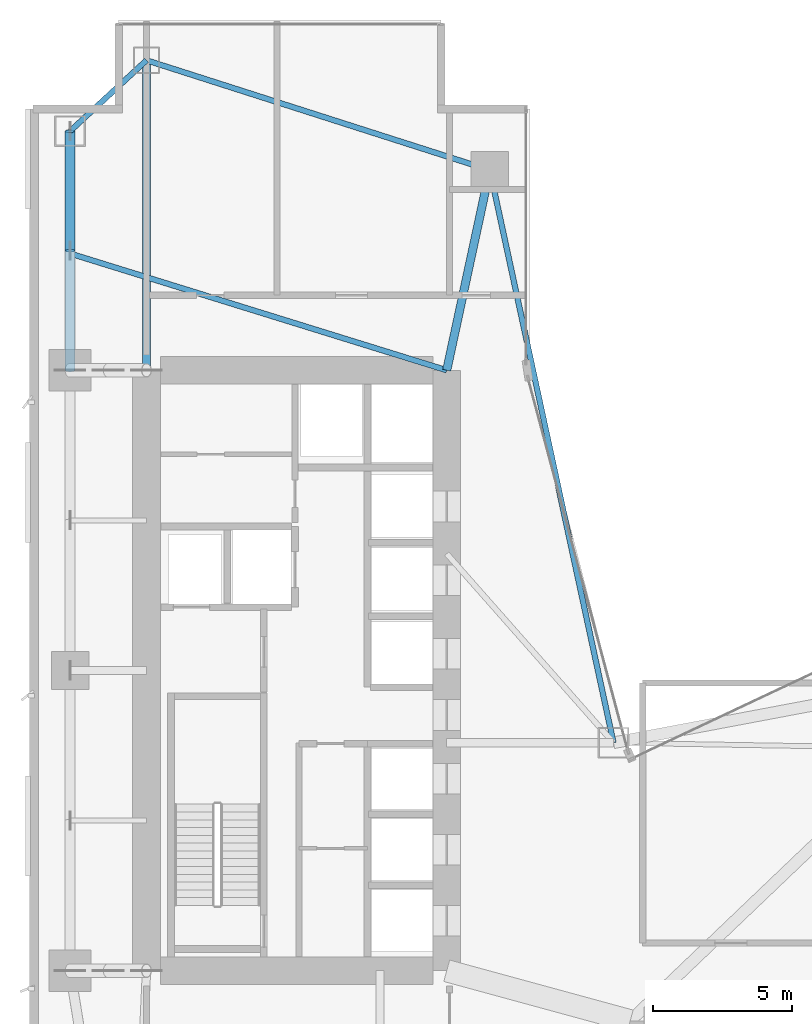
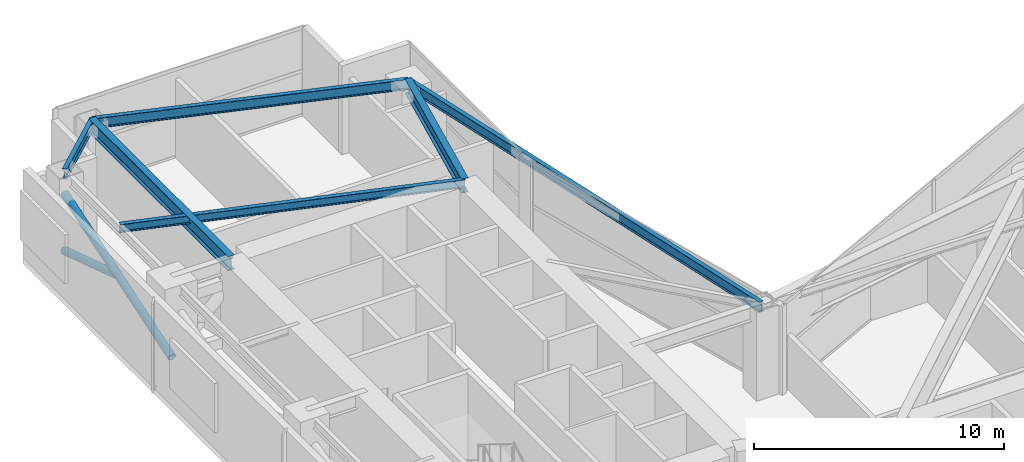
# One storey, part 6 of 18: 6 beams, 2 members.
"""IFC4 building model written with IfcOpenShell, lengths in metres."""

from ifc_helpers import new_model, si_unit, direction, frame, origin, origin_2d, place, context, subcontext, project, spatial, hollow_circle, i_section, extrude, material, material_profile, profile_set, type_object, element, save


model = new_model("IFC4")

# Units and contexts
model_context = context("Model", 3, precision=1e-05, world=origin(), true_north=direction((0.0, 1.0)))
body_context = subcontext(model_context, "Body", "Model", "MODEL_VIEW")
ifc_project = project(units=[si_unit("LENGTHUNIT", "METRE"), si_unit("AREAUNIT", "SQUARE_METRE"), si_unit("VOLUMEUNIT", "CUBIC_METRE"), si_unit("PLANEANGLEUNIT", "RADIAN"), si_unit("MASSUNIT", "GRAM", prefix="KILO")], contexts=[model_context])

# Site, building, storey
site_placement = place(None, origin())
site = spatial("IfcSite", under=ifc_project, at=site_placement, CompositionType="ELEMENT")
building_placement = place(site_placement, origin())
building = spatial("IfcBuilding", under=site, at=building_placement, Name="Calvorn Quay Hotel", CompositionType="ELEMENT")
storey_placement = place(building_placement, frame((0.0, 0.0, 92.60009765625)))
storey = spatial("IfcBuildingStorey", under=building, at=storey_placement, Name="L22", CompositionType="ELEMENT", Elevation=92.60009765625)

# Beams
ifc_material_1 = material(Name="Steel Q390GJC", Category="steel")
ifc_material_profile_1 = material_profile(ifc_material_1, i_section(OverallWidth=0.300048828125, OverallDepth=0.699951171875, WebThickness=0.012939453125, FlangeThickness=0.02392578125, FilletRadius=0.02392578125, at=origin_2d()), Name="HN700x300x13x24")
ifc_profile_set_1 = profile_set([ifc_material_profile_1], Name="Steel Q390GJC")
beam_type_1 = type_object("IfcBeamType", Name="BM-GIRD-MAIN", PredefinedType="BEAM", material=ifc_profile_set_1)
beam_1_placement = place(storey_placement, frame((4.199951171875, 49.550048828125, 4.0), z_axis=(0.0, -1.0, 0.0), x_axis=(1.0, 0.0, 0.0)))
element("IfcBeam", 1, at=beam_1_placement, inside=storey, type_object=beam_type_1, Name="Beam BG-L22-W5", PredefinedType="BEAM", context=body_context, shape_type="SweptSolid", body=[
    extrude(i_section(OverallWidth=0.300048828125, OverallDepth=0.699951171875, WebThickness=0.012939453125, FlangeThickness=0.02392578125, FilletRadius=0.02392578125, at=origin_2d()), origin(), (0.0, 0.0, 1.0), 11.150146484375),
])
beam_2_placement = place(storey_placement, frame((16.550048828125, 45.60009765625, 4.0), z_axis=(-0.210457140491, -0.97760308511, 0.0), x_axis=(0.97760308511, -0.210457140491, 0.0)))
element("IfcBeam", 2, at=beam_2_placement, inside=storey, type_object=beam_type_1, Name="Beam BG-L22-W6", PredefinedType="BEAM", context=body_context, shape_type="SweptSolid", body=[
    extrude(i_section(OverallWidth=0.300048828125, OverallDepth=0.699951171875, WebThickness=0.012939453125, FlangeThickness=0.02392578125, FilletRadius=0.02392578125, at=origin_2d()), origin(), (0.0, 0.0, 1.0), 7.365234375),
])
ifc_material_2 = material(Name="Steel Q355B", Category="steel")
ifc_material_profile_2 = material_profile(ifc_material_2, i_section(OverallWidth=0.199951171875, OverallDepth=0.39990234375, WebThickness=0.008056640625, FlangeThickness=0.012939453125, FilletRadius=0.01611328125, at=origin_2d()), Name="HN400x200x8x13")
ifc_profile_set_2 = profile_set([ifc_material_profile_2], Name="Steel Q355B")
beam_type_2 = type_object("IfcBeamType", Name="BM-JOIST-TYP", PredefinedType="JOIST", material=ifc_profile_set_2)
beam_3_placement = place(storey_placement, frame((1.449951171875, 42.60009765625, 4.14990234375), z_axis=(0.955163702122, -0.296078202759, 0.0), x_axis=(0.296078202759, 0.955163702122, 0.0)))
element("IfcBeam", 3, at=beam_3_placement, inside=storey, type_object=beam_type_2, Name="Beam BJ-L22-W2", PredefinedType="JOIST", context=body_context, shape_type="SweptSolid", body=[
    extrude(i_section(OverallWidth=0.199951171875, OverallDepth=0.39990234375, WebThickness=0.008056640625, FlangeThickness=0.012939453125, FilletRadius=0.01611328125, at=origin_2d()), origin(), (0.0, 0.0, 1.0), 14.18603515625),
])
ifc_material_3 = material(Name="Steel Q355B", Category="steel")
ifc_material_profile_3 = material_profile(ifc_material_3, i_section(OverallWidth=0.199951171875, OverallDepth=0.5, WebThickness=0.010009765625, FlangeThickness=0.01611328125, FilletRadius=0.01611328125, at=origin_2d()), Name="HN500x200x10x16")
ifc_profile_set_3 = profile_set([ifc_material_profile_3], Name="Steel Q355B")
beam_type_3 = type_object("IfcBeamType", Name="BM-SPANDREL-Z1", PredefinedType="SPANDREL", material=ifc_profile_set_3)
beam_4_placement = place(storey_placement, frame((1.449951171875, 47.0, 4.099853515625), z_axis=(0.733261665538, 0.679946563969, 0.0), x_axis=(-0.679946563969, 0.733261665538, 0.0)))
element("IfcBeam", 4, at=beam_4_placement, inside=storey, type_object=beam_type_3, Name="Beam BSP-L22-W5", PredefinedType="SPANDREL", context=body_context, shape_type="SweptSolid", body=[
    extrude(i_section(OverallWidth=0.199951171875, OverallDepth=0.5, WebThickness=0.010009765625, FlangeThickness=0.01611328125, FilletRadius=0.01611328125, at=origin_2d()), origin(), (0.0, 0.0, 1.0), 3.75048828125),
])
beam_5_placement = place(storey_placement, frame((4.199951171875, 49.550048828125, 4.099853515625), z_axis=(0.952470702374, -0.304630203885, 0.0), x_axis=(0.304630203885, 0.952470702374, 0.0)))
element("IfcBeam", 5, at=beam_5_placement, inside=storey, type_object=beam_type_3, Name="Beam BSP-L22-W6", PredefinedType="SPANDREL", context=body_context, shape_type="SweptSolid", body=[
    extrude(i_section(OverallWidth=0.199951171875, OverallDepth=0.5, WebThickness=0.010009765625, FlangeThickness=0.01611328125, FilletRadius=0.01611328125, at=origin_2d()), origin(), (0.0, 0.0, 1.0), 12.96630859375),
])
beam_6_placement = place(storey_placement, frame((16.550048828125, 45.60009765625, 4.099853515625), z_axis=(0.211145848376, -0.977454567084, 0.0), x_axis=(0.977454567084, 0.211145848376, 0.0)))
element("IfcBeam", 6, at=beam_6_placement, inside=storey, type_object=beam_type_3, Name="Beam BSP-L22-W7", PredefinedType="SPANDREL", context=body_context, shape_type="SweptSolid", body=[
    extrude(i_section(OverallWidth=0.199951171875, OverallDepth=0.5, WebThickness=0.010009765625, FlangeThickness=0.01611328125, FilletRadius=0.01611328125, at=origin_2d()), origin(), (0.0, 0.0, 1.0), 21.0751953125),
])

# Members
ifc_material_4 = material(Name="Steel Q390GJC", Category="steel")
ifc_material_profile_4 = material_profile(ifc_material_4, hollow_circle(Radius=0.177978515625, WallThickness=0.013916015625, at=origin_2d()), Name="CHS356x14")
ifc_profile_set_4 = profile_set([ifc_material_profile_4], Name="Steel Q390GJC")
member_type = type_object("IfcMemberType", Name="MEM-BELT-DIAG", PredefinedType="BRACE", material=ifc_profile_set_4)
member_1_placement = place(storey_placement, frame((1.449951171875, 38.39990234375, 0.349853515625), z_axis=(0.0, 0.950870877097, 0.309587750225), x_axis=(-1.0, 0.0, 0.0)))
element("IfcMember", 7, at=member_1_placement, inside=storey, type_object=member_type, Name="Belt Truss Continuous Brace L22-BW4A", PredefinedType="BRACE", context=body_context, shape_type="SweptSolid", body=[
    extrude(hollow_circle(Radius=0.177978515625, WallThickness=0.013916015625, at=origin_2d()), origin(), (0.0, 0.0, 1.0), 9.04443359375),
])
member_2_placement = place(storey_placement, frame((1.449951171875, 42.699951171875, 1.75), z_axis=(0.0, 0.950862930576, -0.309612156183), x_axis=(-1.0, 0.0, 0.0)))
element("IfcMember", 8, at=member_2_placement, inside=storey, type_object=member_type, Name="Belt Truss Split Brace B2 L22-BW4", PredefinedType="BRACE", context=body_context, shape_type="SweptSolid", body=[
    extrude(hollow_circle(Radius=0.177978515625, WallThickness=0.013916015625, at=origin_2d()), origin(), (0.0, 0.0, 1.0), 4.522216796875),
])

save(model, "model.ifc")
